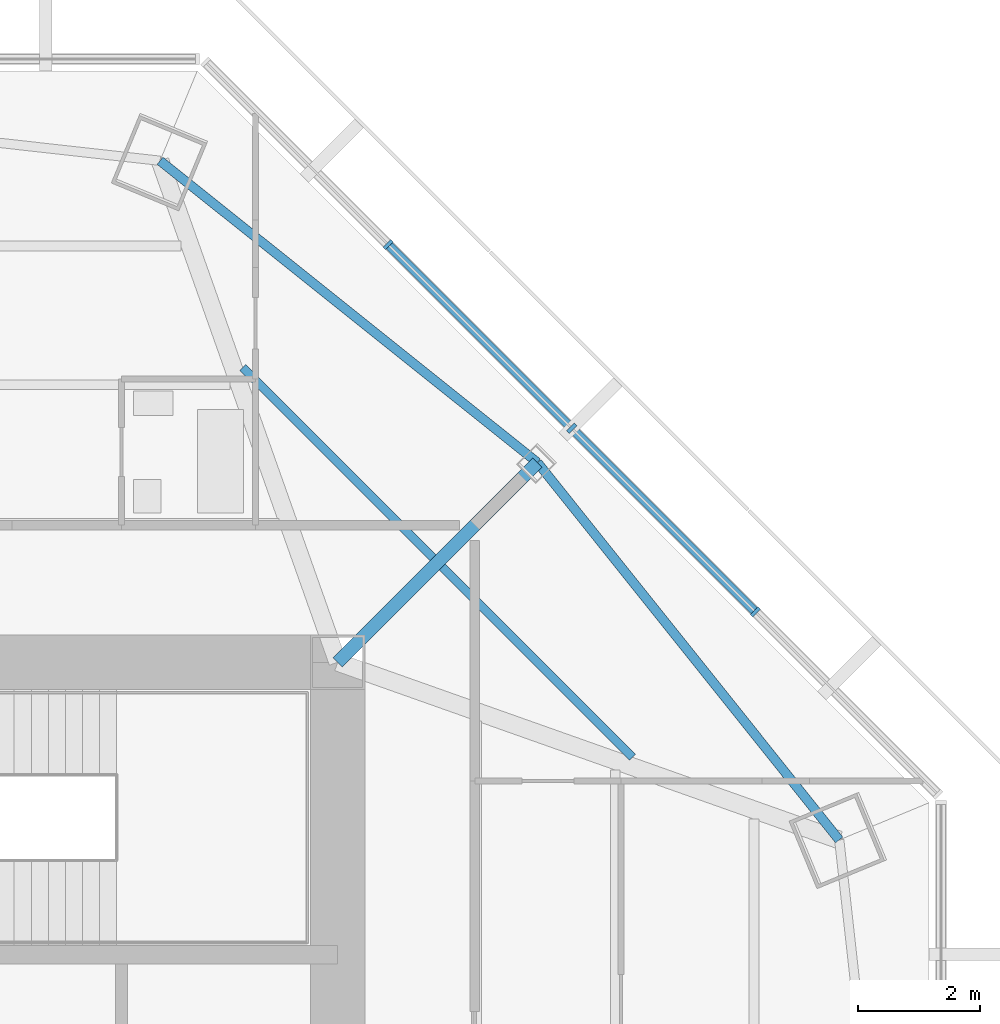
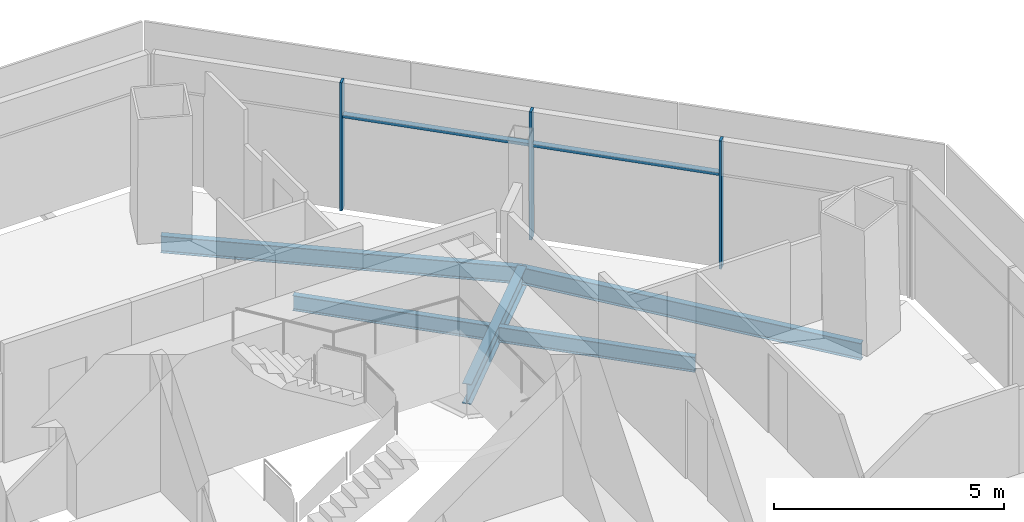
# One storey, part 6 of 15: 5 beams, 5 members, 1 element without a shape of its own.
"""IFC4 building model written with IfcOpenShell, lengths in metres."""

from ifc_helpers import new_model, si_unit, direction, frame, origin, origin_2d, place, context, subcontext, project, spatial, rectangle, i_section, extrude, source, transform, mapped, material, material_profile, profile_set, type_object, type_shapes, element, aggregate, save


model = new_model("IFC4")

# Units and contexts
model_context = context("Model", 3, precision=1e-05, world=origin(), true_north=direction((0.0, 1.0)))
body_context = subcontext(model_context, "Body", "Model", "MODEL_VIEW")
ifc_project = project(units=[si_unit("LENGTHUNIT", "METRE"), si_unit("AREAUNIT", "SQUARE_METRE"), si_unit("VOLUMEUNIT", "CUBIC_METRE"), si_unit("PLANEANGLEUNIT", "RADIAN"), si_unit("MASSUNIT", "GRAM", prefix="KILO")], contexts=[model_context])

# Site, building, storey
site_placement = place(None, origin())
site = spatial("IfcSite", under=ifc_project, at=site_placement, CompositionType="ELEMENT")
building_placement = place(site_placement, origin())
building = spatial("IfcBuilding", under=site, at=building_placement, Name="Mashrafa Tower", CompositionType="ELEMENT")
storey_placement = place(building_placement, frame((0.0, 0.0, 258.39990234375)))
storey = spatial("IfcBuildingStorey", under=building, at=storey_placement, Name="L62", CompositionType="ELEMENT", Elevation=258.39990234375)

# Beams
ifc_material_1 = material(Name="Steel ASTM A992", Category="steel")
ifc_material_profile_1 = material_profile(ifc_material_1, i_section(OverallWidth=0.140380859375, OverallDepth=0.40380859375, WebThickness=0.007080078125, FlangeThickness=0.01123046875, FilletRadius=0.01025390625, at=origin_2d()), Name="W16X31")
ifc_profile_set_1 = profile_set([ifc_material_profile_1], Name="Steel ASTM A992")
beam_type_1 = type_object("IfcBeamType", Name="Beam W16X31", PredefinedType="BEAM", material=ifc_profile_set_1)
for number, where, z_axis, x_axis, name in (
    (1, (9.240966796875, 15.637939453125, -0.40185546875), (0.707106781187, -0.707106781187, 0.0), (0.707106781187, 0.707106781187, 0.0), "Floor beam L62 021"),
    (2, (12.513427734375, 12.365478515625, -0.40185546875), (0.707106781187, -0.707106781187, 0.0), (0.707106781187, 0.707106781187, 0.0), "Floor beam L62 025"),
):
    element("IfcBeam", number, at=place(storey_placement, frame(where, z_axis=z_axis, x_axis=x_axis)), inside=storey, type_object=beam_type_1, Name=name, PredefinedType="BEAM", context=body_context, shape_type="SweptSolid", body=[
        extrude(i_section(OverallWidth=0.140380859375, OverallDepth=0.40380859375, WebThickness=0.007080078125, FlangeThickness=0.01123046875, FilletRadius=0.01025390625, at=origin_2d()), origin(), (0.0, 0.0, 1.0), 4.418701171875),
    ])
ifc_material_2 = material(Name="Steel ASTM A992", Category="steel")
ifc_material_profile_2 = material_profile(ifc_material_2, i_section(OverallWidth=0.15234375, OverallDepth=0.449462890625, WebThickness=0.007568359375, FlangeThickness=0.0107421875, FilletRadius=0.01025390625, at=origin_2d()), Name="W18X35")
ifc_profile_set_2 = profile_set([ifc_material_profile_2], Name="Steel ASTM A992")
beam_type_2 = type_object("IfcBeamType", Name="Beam W18X35", PredefinedType="BEAM", material=ifc_profile_set_2)
for number, where, z_axis, x_axis, name in (
    (3, (14.078857421875, 14.078857421875, -0.4248046875), (-0.781030932395, 0.624492339939, 0.0), (-0.624492339939, -0.781030932395, 0.0), "Spandrel beam L62 061"),
    (4, (19.032470703125, 7.883544921875, -0.4248046875), (-0.624492339939, 0.781030932395, 0.0), (-0.781030932395, -0.624492339939, 0.0), "Spandrel beam L62 063"),
):
    element("IfcBeam", number, at=place(storey_placement, frame(where, z_axis=z_axis, x_axis=x_axis)), inside=storey, type_object=beam_type_2, Name=name, PredefinedType="BEAM", context=body_context, shape_type="SweptSolid", body=[
        extrude(i_section(OverallWidth=0.15234375, OverallDepth=0.449462890625, WebThickness=0.007568359375, FlangeThickness=0.0107421875, FilletRadius=0.01025390625, at=origin_2d()), origin(), (0.0, 0.0, 1.0), 7.93212890625),
    ])
ifc_material_3 = material(Name="Steel ASTM A992", Category="steel")
ifc_material_profile_3 = material_profile(ifc_material_3, i_section(OverallWidth=0.209228515625, OverallDepth=0.533447265625, WebThickness=0.01025390625, FlangeThickness=0.015625, FilletRadius=0.012939453125, at=origin_2d()), Name="W21X62")
ifc_profile_set_3 = profile_set([ifc_material_profile_3], Name="Steel ASTM A992")
beam_type_3 = type_object("IfcBeamType", Name="Beam W21X62", PredefinedType="BEAM", material=ifc_profile_set_3)
beam_placement = place(storey_placement, frame((10.800048828125, 10.800048828125, -0.466552734375), z_axis=(0.707106781187, 0.707106781187, 0.0), x_axis=(-0.707106781187, 0.707106781187, 0.0)))
element("IfcBeam", 5, at=beam_placement, inside=storey, type_object=beam_type_3, Name="Radial girder L62 047", PredefinedType="BEAM", context=body_context, shape_type="SweptSolid", body=[
    extrude(i_section(OverallWidth=0.209228515625, OverallDepth=0.533447265625, WebThickness=0.01025390625, FlangeThickness=0.015625, FilletRadius=0.012939453125, at=origin_2d()), origin(), (0.0, 0.0, 1.0), 4.636962890625),
])

# Curtain wall, members
ifc_material_4 = material(Name="Unitised aluminium curtain wall", Category="aluminium")
curtain_wall_type = type_object("IfcCurtainWallType", Name="Apartment curtain wall, zone 3 CW-C 180 deep", PredefinedType="NOTDEFINED", material=ifc_material_4)
curtain_wall_placement = place(storey_placement, origin())
curtain_wall = element("IfcCurtainWall", 6, at=curtain_wall_placement, inside=storey, type_object=curtain_wall_type, Name="Apartment curtain wall, zone 3 L62 north-east", PredefinedType="NOTDEFINED")
ifc_material_5 = material(Name="Extruded aluminium mullion", Category="aluminium")
ifc_material_profile_4 = material_profile(ifc_material_5, rectangle(XDim=0.179931640625, YDim=0.06005859375, at=origin_2d()), Name="Mullion 60x180")
ifc_profile_set_4 = profile_set([ifc_material_profile_4], Name="Extruded aluminium mullion")
member_type_1 = type_object("IfcMemberType", Name="Mullion CW-C 60 x 180", PredefinedType="MULLION", material=ifc_profile_set_4)
shared_shape_1 = source(origin(), body_context, "Body", "SweptSolid", [
    extrude(rectangle(XDim=0.179931640625, YDim=0.06005859375, at=origin_2d()), origin(), (0.0, 0.0, 1.0), 3.400146484375),
])
type_shapes(member_type_1, [shared_shape_1])
member_1_placement = place(storey_placement, frame((17.656005859375, 11.625244140625, 0.0), z_axis=(0.0, 0.0, 1.0), x_axis=(-0.707106781187, -0.707106781187, 0.0)))
member_1 = element("IfcMember", 7, at=member_1_placement, type_object=member_type_1, Name="CW-C mullion 2", PredefinedType="MULLION", context=body_context, shape_type="MappedRepresentation", body=[
    mapped(shared_shape_1, transform((0.0, 0.0, 0.0))),
])
member_2_placement = place(storey_placement, frame((14.640625, 14.640625, 0.0), z_axis=(0.0, 0.0, 1.0), x_axis=(-0.707106781187, -0.707106781187, 0.0)))
member_2 = element("IfcMember", 8, at=member_2_placement, type_object=member_type_1, Name="CW-C mullion 3", PredefinedType="MULLION", context=body_context, shape_type="MappedRepresentation", body=[
    mapped(shared_shape_1, transform((0.0, 0.0, 0.0))),
])
member_3_placement = place(storey_placement, frame((11.625244140625, 17.656005859375, 0.0), z_axis=(0.0, 0.0, 1.0), x_axis=(-0.707106781187, -0.707106781187, 0.0)))
member_3 = element("IfcMember", 9, at=member_3_placement, type_object=member_type_1, Name="CW-C mullion 4", PredefinedType="MULLION", context=body_context, shape_type="MappedRepresentation", body=[
    mapped(shared_shape_1, transform((0.0, 0.0, 0.0))),
])
ifc_material_6 = material(Name="Extruded aluminium transom", Category="aluminium")
ifc_material_profile_5 = material_profile(ifc_material_6, rectangle(XDim=0.14404296875, YDim=0.074951171875, at=origin_2d()), Name="Transom 75x144")
ifc_profile_set_5 = profile_set([ifc_material_profile_5], Name="Extruded aluminium transom")
member_type_2 = type_object("IfcMemberType", Name="Transom CW-C 75 x 144", PredefinedType="MULLION", material=ifc_profile_set_5)
shared_shape_2 = source(origin(), body_context, "Body", "SweptSolid", [
    extrude(rectangle(XDim=0.14404296875, YDim=0.074951171875, at=origin_2d()), origin(), (0.0, 0.0, 1.0), 4.204345703125),
])
type_shapes(member_type_2, [shared_shape_2])
member_4_placement = place(storey_placement, frame((17.634765625, 11.646484375, 2.5), z_axis=(-0.707106781187, 0.707106781187, 0.0), x_axis=(-0.707106781187, -0.707106781187, 0.0)))
member_4 = element("IfcMember", 10, at=member_4_placement, type_object=member_type_2, Name="CW-C transom 2", PredefinedType="MULLION", context=body_context, shape_type="MappedRepresentation", body=[
    mapped(shared_shape_2, transform((0.0, 0.0, 0.0))),
])
member_5_placement = place(storey_placement, frame((14.619384765625, 14.661865234375, 2.5), z_axis=(-0.707106781187, 0.707106781187, 0.0), x_axis=(-0.707106781187, -0.707106781187, 0.0)))
member_5 = element("IfcMember", 11, at=member_5_placement, type_object=member_type_2, Name="CW-C transom 3", PredefinedType="MULLION", context=body_context, shape_type="MappedRepresentation", body=[
    mapped(shared_shape_2, transform((0.0, 0.0, 0.0))),
])
aggregate(curtain_wall, [member_1, member_2, member_3, member_4, member_5])

save(model, "model.ifc")
